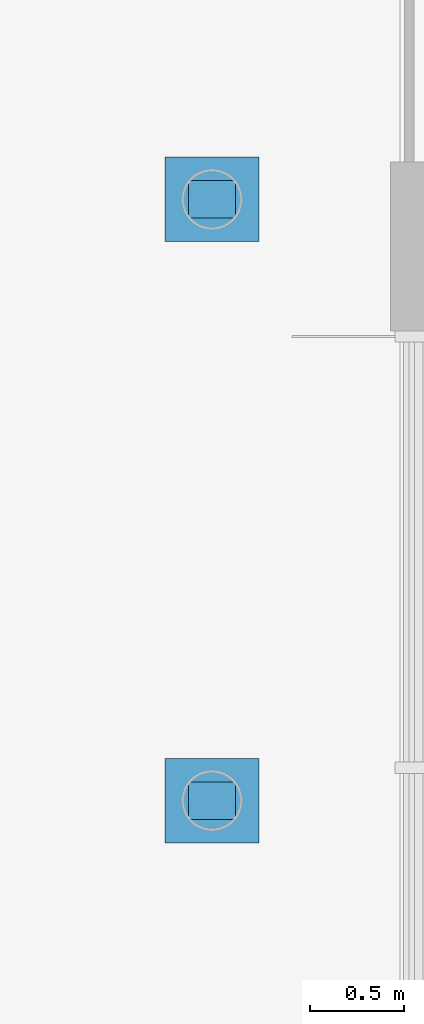
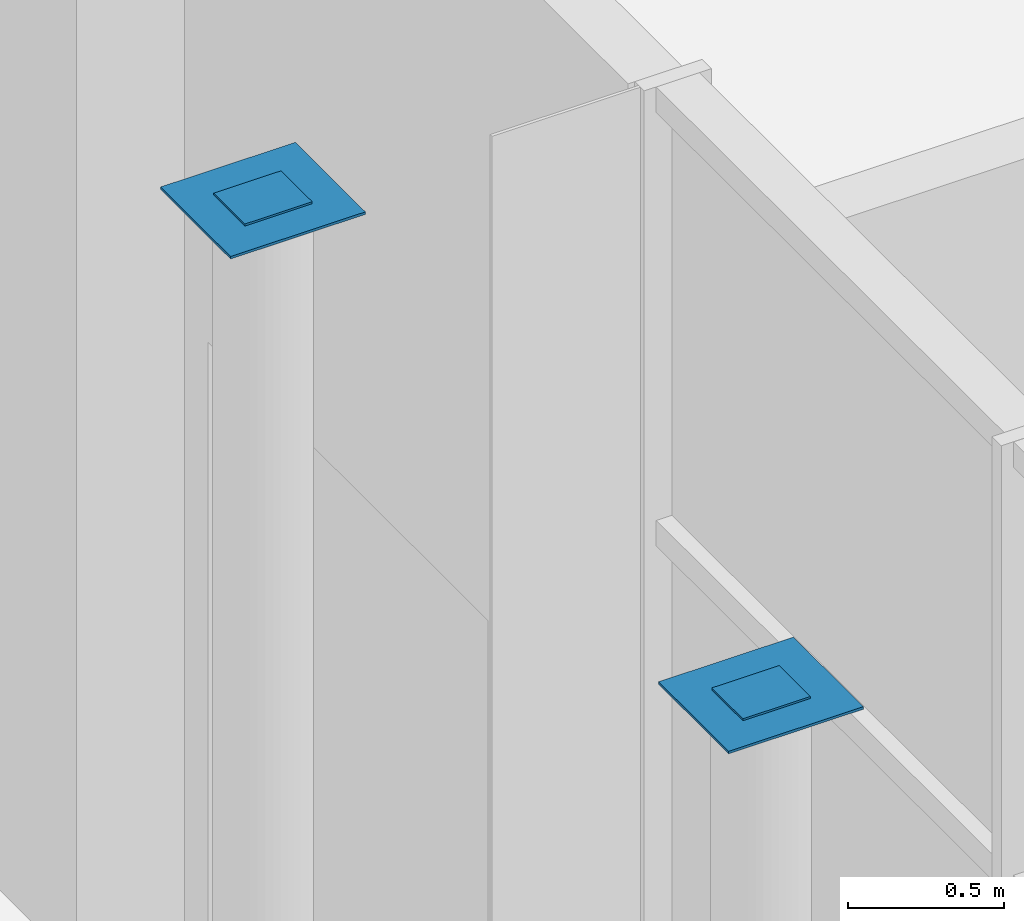
# One storey, part 55 of 76: 4 discrete accessories.
"""IFC4 building model written with IfcOpenShell, lengths in metres."""

from ifc_helpers import new_model, si_unit, direction, frame, origin, origin_2d, place, context, subcontext, project, spatial, rectangle, extrude, material, layer, layer_set, type_object, element, save


model = new_model("IFC4")

# Units and contexts
model_context = context("Model", 3, precision=1e-05, world=origin(), true_north=direction((0.0, 1.0)))
body_context = subcontext(model_context, "Body", "Model", "MODEL_VIEW")
ifc_project = project(units=[si_unit("LENGTHUNIT", "METRE"), si_unit("AREAUNIT", "SQUARE_METRE"), si_unit("VOLUMEUNIT", "CUBIC_METRE"), si_unit("PLANEANGLEUNIT", "RADIAN"), si_unit("MASSUNIT", "GRAM", prefix="KILO")], contexts=[model_context])

# Site, building, storey
site_placement = place(None, origin())
site = spatial("IfcSite", under=ifc_project, at=site_placement, CompositionType="ELEMENT")
building_placement = place(site_placement, origin())
building = spatial("IfcBuilding", under=site, at=building_placement, Name="Hlaing Beacon Police Headquarters", CompositionType="ELEMENT")
storey_placement = place(building_placement, origin())
storey = spatial("IfcBuildingStorey", under=building, at=storey_placement, Name="L00", CompositionType="ELEMENT", Elevation=0.0)

# Discrete accessories
ifc_material_1 = material(Name="Steel ASTM A572 Grade 50", Category="steel")
ifc_layer_1 = layer(ifc_material_1, 0.008056640625)
ifc_layer_set_1 = layer_set([ifc_layer_1], Name="Steel ASTM A572 Grade 50")
discrete_accessory_type_1 = type_object("IfcDiscreteAccessoryType", Name="Bridge fixed bearing 250x200x8", PredefinedType="SHOE", material=ifc_layer_set_1)
for number, where, z_axis, x_axis, name in (
    (1, (99.800048828125, 44.60009765625, 4.5048828125), (0.0, 0.0, 1.0), (1.0, 0.0, 0.0), "Bridge fixed bearing BR2 pier 3"),
    (2, (99.800048828125, 47.800048828125, 4.5048828125), (0.0, 0.0, 1.0), (1.0, 0.0, 0.0), "Bridge fixed bearing BR2 pier 4"),
):
    element("IfcDiscreteAccessory", number, at=place(storey_placement, frame(where, z_axis=z_axis, x_axis=x_axis)), inside=storey, type_object=discrete_accessory_type_1, Name=name, PredefinedType="SHOE", context=body_context, shape_type="SweptSolid", body=[
        extrude(rectangle(XDim=0.25, YDim=0.199951171875, at=origin_2d()), origin(), (0.0, 0.0, 1.0), 0.008056640625),
    ])
ifc_material_2 = material(Name="Steel ASTM A572 Grade 50", Category="steel")
ifc_layer_2 = layer(ifc_material_2, 0.010009765625)
ifc_layer_set_2 = layer_set([ifc_layer_2], Name="Steel ASTM A572 Grade 50")
discrete_accessory_type_2 = type_object("IfcDiscreteAccessoryType", Name="Bridge seat plate 500x450x10", PredefinedType="BRACKET", material=ifc_layer_set_2)
for number, where, z_axis, x_axis, name in (
    (3, (99.800048828125, 44.60009765625, 4.4951171875), (0.0, 0.0, 1.0), (1.0, 0.0, 0.0), "Bridge seat plate BR2 pier 3"),
    (4, (99.800048828125, 47.800048828125, 4.4951171875), (0.0, 0.0, 1.0), (1.0, 0.0, 0.0), "Bridge seat plate BR2 pier 4"),
):
    element("IfcDiscreteAccessory", number, at=place(storey_placement, frame(where, z_axis=z_axis, x_axis=x_axis)), inside=storey, type_object=discrete_accessory_type_2, Name=name, PredefinedType="BRACKET", context=body_context, shape_type="SweptSolid", body=[
        extrude(rectangle(XDim=0.5, YDim=0.449951171875, at=origin_2d()), origin(), (0.0, 0.0, 1.0), 0.010009765625),
    ])

save(model, "model.ifc")
